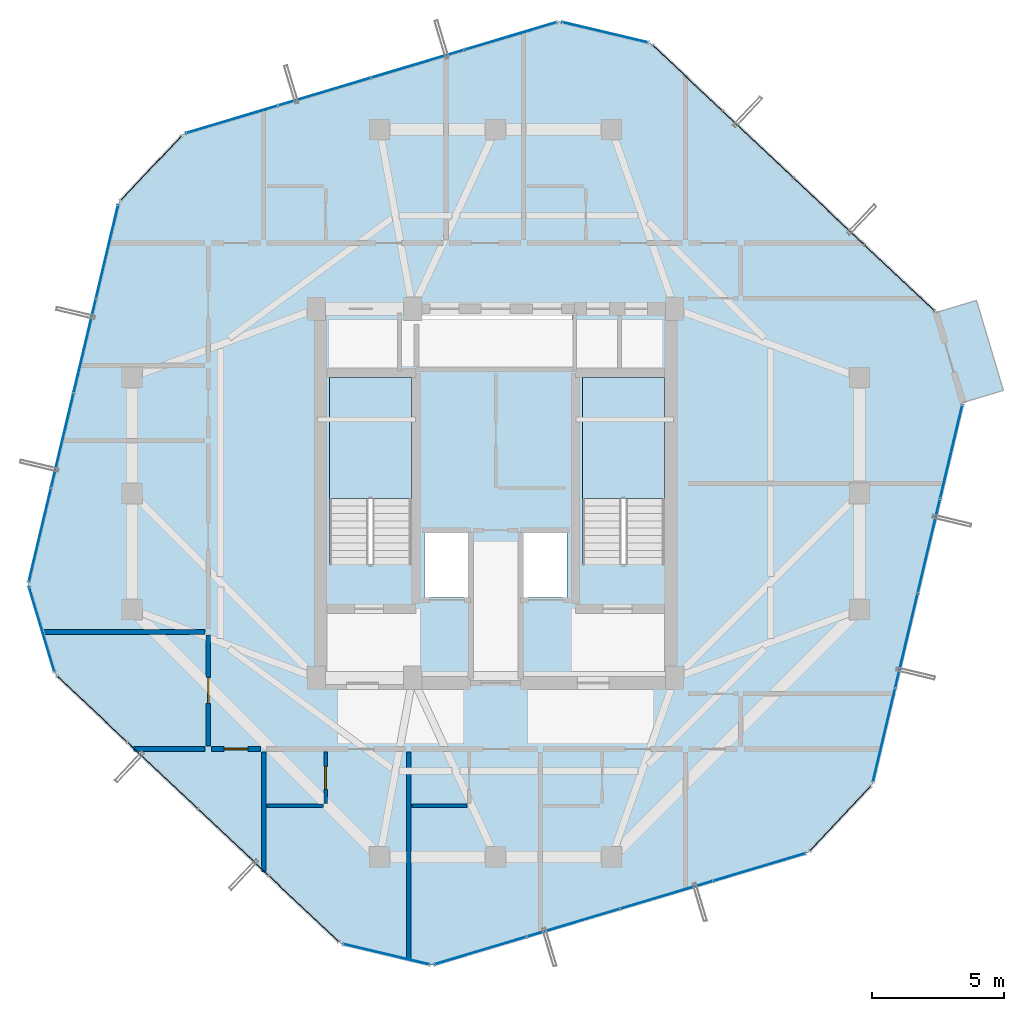
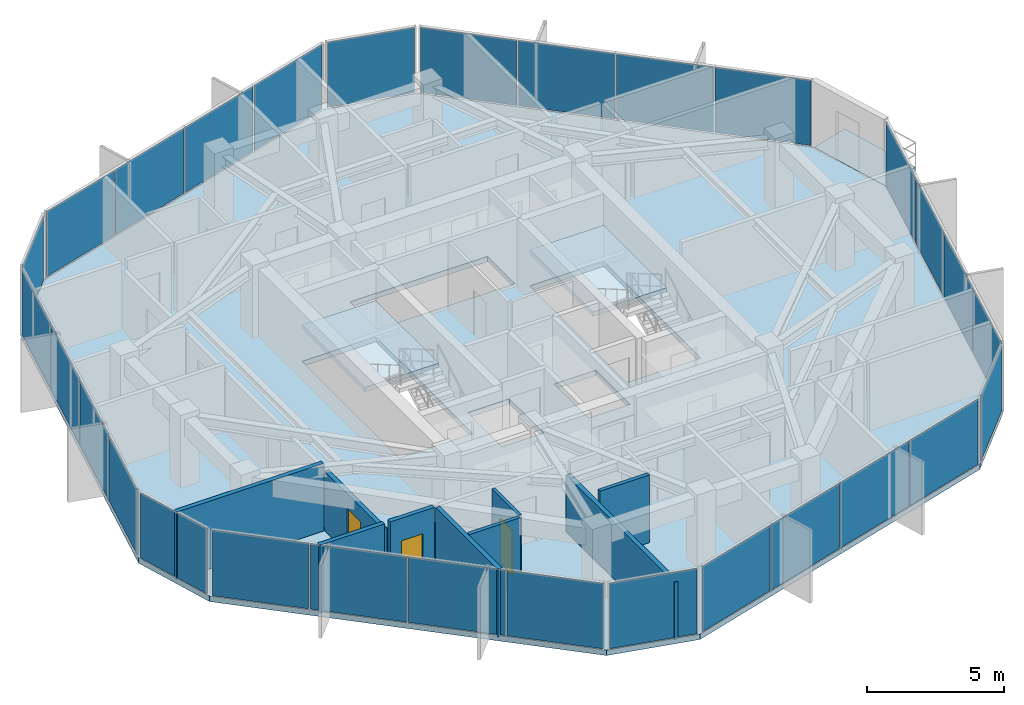
# One storey, part 23 of 28: 29 plates, 9 walls, 4 slabs, 3 doors, 3 openings, 13 elements without a shape of their own.
"""IFC4 building model written with IfcOpenShell, lengths in metres."""

from ifc_helpers import new_model, si_unit, direction, frame, frame_2d, origin, origin_2d, place, context, subcontext, project, spatial, polyline, rectangle, outline, extrude, source, transform, mapped, material, layer, layer_set, type_object, element, fill, aggregate, save


model = new_model("IFC4")

# Units and contexts
model_context = context("Model", 3, precision=1e-05, world=origin(), true_north=direction((0.0, 1.0)))
body_context = subcontext(model_context, "Body", "Model", "MODEL_VIEW")
ifc_project = project(units=[si_unit("LENGTHUNIT", "METRE"), si_unit("AREAUNIT", "SQUARE_METRE"), si_unit("VOLUMEUNIT", "CUBIC_METRE"), si_unit("PLANEANGLEUNIT", "RADIAN"), si_unit("MASSUNIT", "GRAM", prefix="KILO")], contexts=[model_context])

# Site, building, storey
site_placement = place(None, origin())
site = spatial("IfcSite", under=ifc_project, at=site_placement, CompositionType="ELEMENT")
building_placement = place(site_placement, origin())
building = spatial("IfcBuilding", under=site, at=building_placement, Name="Veraguas Prism Commons", CompositionType="ELEMENT")
storey_placement = place(building_placement, frame((0.0, 0.0, 254.5)))
storey = spatial("IfcBuildingStorey", under=building, at=storey_placement, Name="L72", CompositionType="ELEMENT", Elevation=254.5)

# Stair, slab
ifc_material_1 = material(Name="Precast concrete C45/55", Category="concrete")
stair_type = type_object("IfcStairType", Name="Dogleg Core Stair 1480W 20R 05", PredefinedType="HALF_TURN_STAIR", material=ifc_material_1)
stair_1_placement = place(storey_placement, origin())
stair_1 = element("IfcStair", 1, at=stair_1_placement, inside=storey, type_object=stair_type, Name="Protected Exit Stair ST-01 L72", PredefinedType="HALF_TURN_STAIR")
ifc_layer_1 = layer(ifc_material_1, 0.199951171875, Name="Precast Stair and Ramp Landing Slab 200", Category="concrete")
ifc_layer_set_1 = layer_set([ifc_layer_1], Name="Precast concrete C45/55")
slab_type_1 = type_object("IfcSlabType", Name="Precast Stair and Ramp Landing Slab 200", PredefinedType="LANDING", material=ifc_layer_set_1)
slab_1_placement = place(storey_placement, frame((0.0, 0.0, 1.425048828125)))
slab_1 = element("IfcSlab", 2, at=slab_1_placement, type_object=slab_type_1, Name="ST-05 Landing 1", PredefinedType="LANDING", context=body_context, shape_type="SweptSolid", body=[
    extrude(outline(polyline([(20.800048828125, 23.800048828125), (20.800048828125, 28.39990234375), (17.68994140625, 28.39990234375), (17.68994140625, 23.800048828125), (20.800048828125, 23.800048828125)])), origin(), (0.0, 0.0, 1.0), 0.199951171875),
])
aggregate(stair_1, [slab_1])

stair_2_placement = place(storey_placement, origin())
stair_2 = element("IfcStair", 3, at=stair_2_placement, inside=storey, type_object=stair_type, Name="Protected Exit Stair ST-02 L72", PredefinedType="HALF_TURN_STAIR")
slab_2_placement = place(storey_placement, frame((0.0, 0.0, 1.425048828125)))
slab_2 = element("IfcSlab", 4, at=slab_2_placement, type_object=slab_type_1, Name="ST-05 Landing 1", PredefinedType="LANDING", context=body_context, shape_type="SweptSolid", body=[
    extrude(outline(polyline([(30.39990234375, 23.800048828125), (30.39990234375, 28.39990234375), (27.2900390625, 28.39990234375), (27.2900390625, 23.800048828125), (30.39990234375, 23.800048828125)])), origin(), (0.0, 0.0, 1.0), 0.199951171875),
])
aggregate(stair_2, [slab_2])

# Slabs
ifc_material_2 = material(Name="Concrete C45/55", Category="concrete")
ifc_layer_2 = layer(ifc_material_2, 0.219970703125, Name="Recessed Loggia and Terrace Slab RC 220", Category="concrete")
ifc_layer_set_2 = layer_set([ifc_layer_2], Name="Concrete C45/55")
slab_type_2 = type_object("IfcSlabType", Name="Recessed Loggia and Terrace Slab RC 220", PredefinedType="FLOOR", material=ifc_layer_set_2)
slab_3_placement = place(storey_placement, frame((0.0, 0.0, -0.219970703125)))
element("IfcSlab", 5, at=slab_3_placement, inside=storey, type_object=slab_type_2, Name="Recessed Corner Loggia L72-C1", PredefinedType="FLOOR", context=body_context, shape_type="SweptSolid", body=[
    extrude(outline(polyline([(41.708740234375, 27.440185546875), (43.2607421875, 27.904541015625), (42.2392578125, 31.3173828125), (40.687255859375, 30.85302734375), (41.708740234375, 27.440185546875)])), origin(), (0.0, 0.0, 1.0), 0.219970703125),
])
ifc_layer_3 = layer(ifc_material_2, 0.235107421875, Name="Tower Upper Residential Floor Slab RC 235", Category="concrete")
ifc_layer_set_3 = layer_set([ifc_layer_3], Name="Concrete C45/55")
slab_type_3 = type_object("IfcSlabType", Name="Tower Upper Residential Floor Slab RC 235", PredefinedType="FLOOR", material=ifc_layer_set_3)
slab_4_placement = place(storey_placement, frame((0.0, 0.0, -0.235107421875)))
element("IfcSlab", 6, at=slab_4_placement, inside=storey, type_object=slab_type_3, Name="Tower Floor Slab L72", PredefinedType="FLOOR", context=body_context, shape_type="SweptSolid", body=[
    extrude(outline(polyline([(41.727783203125, 27.44580078125), (40.70654296875, 30.85888671875), (29.8798828125, 41.07568359375), (26.413330078125, 41.897705078125), (12.15185546875, 37.6298828125), (9.706787109375, 35.038818359375), (6.272216796875, 20.55419921875), (7.29345703125, 17.14111328125), (18.1201171875, 6.92431640625), (21.586669921875, 6.102294921875), (35.84814453125, 10.3701171875), (38.293212890625, 12.961181640625), (41.727783203125, 27.44580078125)]), holes=[polyline([(20.800048828125, 21.31005859375), (20.800048828125, 28.39990234375), (17.68994140625, 28.39990234375), (17.68994140625, 21.31005859375), (20.800048828125, 21.31005859375)]), polyline([(30.39990234375, 21.31005859375), (30.39990234375, 28.39990234375), (27.2900390625, 28.39990234375), (27.2900390625, 21.31005859375), (30.39990234375, 21.31005859375)]), polyline([(21.10009765625, 28.800048828125), (26.89990234375, 28.800048828125), (26.89990234375, 30.800048828125), (21.10009765625, 30.800048828125), (21.10009765625, 28.800048828125)]), polyline([(21.300048828125, 20.050048828125), (23.050048828125, 20.050048828125), (23.050048828125, 22.550048828125), (21.300048828125, 22.550048828125), (21.300048828125, 20.050048828125)]), polyline([(24.949951171875, 20.050048828125), (26.699951171875, 20.050048828125), (26.699951171875, 22.550048828125), (24.949951171875, 22.550048828125), (24.949951171875, 20.050048828125)])]), origin(), (0.0, 0.0, 1.0), 0.235107421875),
])

# Curtain wall, plates
ifc_material_3 = material(Name="Anodised aluminium EN AW-6063 T6", Category="aluminium")
ifc_layer_4 = layer(ifc_material_3, 0.14990234375, Name="Unitised Flush Curtain Wall Zone 4", Category="aluminium")
ifc_layer_set_4 = layer_set([ifc_layer_4], Name="Anodised aluminium EN AW-6063 T6")
curtain_wall_type = type_object("IfcCurtainWallType", Name="Unitised Flush Curtain Wall Zone 4", PredefinedType="NOTDEFINED", material=ifc_layer_set_4)
curtain_wall_1_placement = place(storey_placement, origin())
curtain_wall_1 = element("IfcCurtainWall", 7, at=curtain_wall_1_placement, inside=storey, type_object=curtain_wall_type, Name="Tower Facade Curtain Wall L72-F1", PredefinedType="NOTDEFINED")
ifc_material_4 = material(Name="Laminated low-e glass", Category="glass")
ifc_layer_5 = layer(ifc_material_4, 0.028076171875, Name="Unitised Double Low-E Glazed Panel 28", Category="glass")
ifc_layer_set_5 = layer_set([ifc_layer_5], Name="Laminated low-e glass")
plate_type = type_object("IfcPlateType", Name="Unitised Double Low-E Glazed Panel 28", PredefinedType="CURTAIN_PANEL", material=ifc_layer_set_5)
shared_shape_1 = source(origin(), body_context, "Body", "SweptSolid", [
    extrude(rectangle(XDim=3.6015625, YDim=0.028076171875, at=origin_2d()), origin(), (0.0, 0.0, 1.0), 2.905029296875),
])
plate_1_placement = place(storey_placement, frame((39.3095703125, 32.177001953125, 0.05517578125), z_axis=(0.0, 0.0, 1.0), x_axis=(-0.727296184535, 0.686323728251, 0.0)))
plate_1 = element("IfcPlate", 8, at=plate_1_placement, type_object=plate_type, Name="CW-Z4 Panel 1.1", PredefinedType="CURTAIN_PANEL", context=body_context, shape_type="MappedRepresentation", body=[
    mapped(shared_shape_1, transform((0.0, 0.0, 0.0), scale=1.0)),
])
plate_2_placement = place(storey_placement, frame((31.27685546875, 39.75732421875, 0.05517578125), z_axis=(0.0, 0.0, 1.0), x_axis=(-0.727296184535, 0.686323728251, 0.0)))
plate_2 = element("IfcPlate", 9, at=plate_2_placement, type_object=plate_type, Name="CW-Z4 Panel 4.1", PredefinedType="CURTAIN_PANEL", context=body_context, shape_type="MappedRepresentation", body=[
    mapped(shared_shape_1, transform((0.0, 0.0, 0.0), scale=1.0)),
])

curtain_wall_2_placement = place(storey_placement, origin())
curtain_wall_2 = element("IfcCurtainWall", 10, at=curtain_wall_2_placement, inside=storey, type_object=curtain_wall_type, Name="Tower Facade Curtain Wall L72-F2", PredefinedType="NOTDEFINED")
plate_3_placement = place(storey_placement, frame((24.5732421875, 41.346923828125, 0.05517578125), z_axis=(0.0, 0.0, 1.0), x_axis=(-0.958022876902, -0.286691763629, 0.0)))
plate_3 = element("IfcPlate", 11, at=plate_3_placement, type_object=plate_type, Name="CW-Z4 Panel 1.1", PredefinedType="CURTAIN_PANEL", context=body_context, shape_type="MappedRepresentation", body=[
    mapped(shared_shape_1, transform((0.0, 0.0, 0.0), scale=1.0)),
])
plate_4_placement = place(storey_placement, frame((13.9921875, 38.1806640625, 0.05517578125), z_axis=(0.0, 0.0, 1.0), x_axis=(-0.958022876902, -0.286691763629, 0.0)))
plate_4 = element("IfcPlate", 12, at=plate_4_placement, type_object=plate_type, Name="CW-Z4 Panel 4.1", PredefinedType="CURTAIN_PANEL", context=body_context, shape_type="MappedRepresentation", body=[
    mapped(shared_shape_1, transform((0.0, 0.0, 0.0), scale=1.0)),
])

curtain_wall_3_placement = place(storey_placement, origin())
curtain_wall_3 = element("IfcCurtainWall", 13, at=curtain_wall_3_placement, inside=storey, type_object=curtain_wall_type, Name="Tower Facade Curtain Wall L72-F3", PredefinedType="NOTDEFINED")
plate_5_placement = place(storey_placement, frame((9.263671875, 33.169921875, 0.05517578125), z_axis=(0.0, 0.0, 1.0), x_axis=(-0.230740975733, -0.973015211658, 0.0)))
plate_5 = element("IfcPlate", 14, at=plate_5_placement, type_object=plate_type, Name="CW-Z4 Panel 1.1", PredefinedType="CURTAIN_PANEL", context=body_context, shape_type="MappedRepresentation", body=[
    mapped(shared_shape_1, transform((0.0, 0.0, 0.0), scale=1.0)),
])
plate_6_placement = place(storey_placement, frame((6.71533203125, 22.423095703125, 0.05517578125), z_axis=(0.0, 0.0, 1.0), x_axis=(-0.230740975733, -0.973015211658, 0.0)))
plate_6 = element("IfcPlate", 15, at=plate_6_placement, type_object=plate_type, Name="CW-Z4 Panel 4.1", PredefinedType="CURTAIN_PANEL", context=body_context, shape_type="MappedRepresentation", body=[
    mapped(shared_shape_1, transform((0.0, 0.0, 0.0), scale=1.0)),
])

curtain_wall_4_placement = place(storey_placement, origin())
curtain_wall_4 = element("IfcCurtainWall", 16, at=curtain_wall_4_placement, inside=storey, type_object=curtain_wall_type, Name="Tower Facade Curtain Wall L72-F4", PredefinedType="NOTDEFINED")
plate_7_placement = place(storey_placement, frame((8.6904296875, 15.822998046875, 0.05517578125), z_axis=(0.0, 0.0, 1.0), x_axis=(0.727296184535, -0.686323728251, 0.0)))
plate_7 = element("IfcPlate", 17, at=plate_7_placement, type_object=plate_type, Name="CW-Z4 Panel 1.1", PredefinedType="CURTAIN_PANEL", context=body_context, shape_type="MappedRepresentation", body=[
    mapped(shared_shape_1, transform((0.0, 0.0, 0.0), scale=1.0)),
])
plate_8_placement = place(storey_placement, frame((16.72314453125, 8.24267578125, 0.05517578125), z_axis=(0.0, 0.0, 1.0), x_axis=(0.727296184535, -0.686323728251, 0.0)))
plate_8 = element("IfcPlate", 18, at=plate_8_placement, type_object=plate_type, Name="CW-Z4 Panel 4.1", PredefinedType="CURTAIN_PANEL", context=body_context, shape_type="MappedRepresentation", body=[
    mapped(shared_shape_1, transform((0.0, 0.0, 0.0), scale=1.0)),
])

curtain_wall_5_placement = place(storey_placement, origin())
curtain_wall_5 = element("IfcCurtainWall", 19, at=curtain_wall_5_placement, inside=storey, type_object=curtain_wall_type, Name="Tower Facade Curtain Wall L72-F5", PredefinedType="NOTDEFINED")
plate_9_placement = place(storey_placement, frame((23.4267578125, 6.653076171875, 0.05517578125), z_axis=(0.0, 0.0, 1.0), x_axis=(0.958022876902, 0.286691763629, 0.0)))
plate_9 = element("IfcPlate", 20, at=plate_9_placement, type_object=plate_type, Name="CW-Z4 Panel 1.1", PredefinedType="CURTAIN_PANEL", context=body_context, shape_type="MappedRepresentation", body=[
    mapped(shared_shape_1, transform((0.0, 0.0, 0.0), scale=1.0)),
])
plate_10_placement = place(storey_placement, frame((34.0078125, 9.8193359375, 0.05517578125), z_axis=(0.0, 0.0, 1.0), x_axis=(0.958022876902, 0.286691763629, 0.0)))
plate_10 = element("IfcPlate", 21, at=plate_10_placement, type_object=plate_type, Name="CW-Z4 Panel 4.1", PredefinedType="CURTAIN_PANEL", context=body_context, shape_type="MappedRepresentation", body=[
    mapped(shared_shape_1, transform((0.0, 0.0, 0.0), scale=1.0)),
])

curtain_wall_6_placement = place(storey_placement, origin())
curtain_wall_6 = element("IfcCurtainWall", 22, at=curtain_wall_6_placement, inside=storey, type_object=curtain_wall_type, Name="Tower Facade Curtain Wall L72-F6", PredefinedType="NOTDEFINED")
plate_11_placement = place(storey_placement, frame((38.736328125, 14.830078125, 0.05517578125), z_axis=(0.0, 0.0, 1.0), x_axis=(0.230740975733, 0.973015211658, 0.0)))
plate_11 = element("IfcPlate", 23, at=plate_11_placement, type_object=plate_type, Name="CW-Z4 Panel 1.1", PredefinedType="CURTAIN_PANEL", context=body_context, shape_type="MappedRepresentation", body=[
    mapped(shared_shape_1, transform((0.0, 0.0, 0.0), scale=1.0)),
])
plate_12_placement = place(storey_placement, frame((41.28466796875, 25.576904296875, 0.05517578125), z_axis=(0.0, 0.0, 1.0), x_axis=(0.230740975733, 0.973015211658, 0.0)))
plate_12 = element("IfcPlate", 24, at=plate_12_placement, type_object=plate_type, Name="CW-Z4 Panel 4.1", PredefinedType="CURTAIN_PANEL", context=body_context, shape_type="MappedRepresentation", body=[
    mapped(shared_shape_1, transform((0.0, 0.0, 0.0), scale=1.0)),
])

# Plate
shared_shape_2 = source(origin(), body_context, "Body", "SweptSolid", [
    extrude(rectangle(XDim=3.631591796875, YDim=0.028076171875, at=origin_2d()), origin(), (0.0, 0.0, 1.0), 2.905029296875),
])
plate_13_placement = place(storey_placement, frame((36.635498046875, 34.700439453125, 0.05517578125), z_axis=(0.0, 0.0, 1.0), x_axis=(-0.727296184535, 0.686323728251, 0.0)))
plate_13 = element("IfcPlate", 25, at=plate_13_placement, type_object=plate_type, Name="CW-Z4 Panel 2.1", PredefinedType="CURTAIN_PANEL", context=body_context, shape_type="MappedRepresentation", body=[
    mapped(shared_shape_2, transform((0.0, 0.0, 0.0), scale=1.0)),
])

plate_14_placement = place(storey_placement, frame((33.95068359375, 37.234130859375, 0.05517578125), z_axis=(0.0, 0.0, 1.0), x_axis=(-0.727296184535, 0.686323728251, 0.0)))
plate_14 = element("IfcPlate", 26, at=plate_14_placement, type_object=plate_type, Name="CW-Z4 Panel 3.1", PredefinedType="CURTAIN_PANEL", context=body_context, shape_type="MappedRepresentation", body=[
    mapped(shared_shape_2, transform((0.0, 0.0, 0.0), scale=1.0)),
])

aggregate(curtain_wall_1, [plate_1, plate_13, plate_14, plate_2])

plate_15_placement = place(storey_placement, frame((21.051025390625, 40.29296875, 0.05517578125), z_axis=(0.0, 0.0, 1.0), x_axis=(-0.958022876902, -0.286691763629, 0.0)))
plate_15 = element("IfcPlate", 27, at=plate_15_placement, type_object=plate_type, Name="CW-Z4 Panel 2.1", PredefinedType="CURTAIN_PANEL", context=body_context, shape_type="MappedRepresentation", body=[
    mapped(shared_shape_2, transform((0.0, 0.0, 0.0), scale=1.0)),
])

plate_16_placement = place(storey_placement, frame((17.514404296875, 39.234619140625, 0.05517578125), z_axis=(0.0, 0.0, 1.0), x_axis=(-0.958022876902, -0.286691763629, 0.0)))
plate_16 = element("IfcPlate", 28, at=plate_16_placement, type_object=plate_type, Name="CW-Z4 Panel 3.1", PredefinedType="CURTAIN_PANEL", context=body_context, shape_type="MappedRepresentation", body=[
    mapped(shared_shape_2, transform((0.0, 0.0, 0.0), scale=1.0)),
])

aggregate(curtain_wall_2, [plate_3, plate_15, plate_16, plate_4])

plate_17_placement = place(storey_placement, frame((8.415283203125, 29.592529296875, 0.05517578125), z_axis=(0.0, 0.0, 1.0), x_axis=(-0.230740975733, -0.973015211658, 0.0)))
plate_17 = element("IfcPlate", 29, at=plate_17_placement, type_object=plate_type, Name="CW-Z4 Panel 2.1", PredefinedType="CURTAIN_PANEL", context=body_context, shape_type="MappedRepresentation", body=[
    mapped(shared_shape_2, transform((0.0, 0.0, 0.0), scale=1.0)),
])

plate_18_placement = place(storey_placement, frame((7.563720703125, 26.00048828125, 0.05517578125), z_axis=(0.0, 0.0, 1.0), x_axis=(-0.230740975733, -0.973015211658, 0.0)))
plate_18 = element("IfcPlate", 30, at=plate_18_placement, type_object=plate_type, Name="CW-Z4 Panel 3.1", PredefinedType="CURTAIN_PANEL", context=body_context, shape_type="MappedRepresentation", body=[
    mapped(shared_shape_2, transform((0.0, 0.0, 0.0), scale=1.0)),
])

aggregate(curtain_wall_3, [plate_5, plate_17, plate_18, plate_6])

plate_19_placement = place(storey_placement, frame((11.364501953125, 13.299560546875, 0.05517578125), z_axis=(0.0, 0.0, 1.0), x_axis=(0.727296184535, -0.686323728251, 0.0)))
plate_19 = element("IfcPlate", 31, at=plate_19_placement, type_object=plate_type, Name="CW-Z4 Panel 2.1", PredefinedType="CURTAIN_PANEL", context=body_context, shape_type="MappedRepresentation", body=[
    mapped(shared_shape_2, transform((0.0, 0.0, 0.0), scale=1.0)),
])

plate_20_placement = place(storey_placement, frame((14.04931640625, 10.765869140625, 0.05517578125), z_axis=(0.0, 0.0, 1.0), x_axis=(0.727296184535, -0.686323728251, 0.0)))
plate_20 = element("IfcPlate", 32, at=plate_20_placement, type_object=plate_type, Name="CW-Z4 Panel 3.1", PredefinedType="CURTAIN_PANEL", context=body_context, shape_type="MappedRepresentation", body=[
    mapped(shared_shape_2, transform((0.0, 0.0, 0.0), scale=1.0)),
])

aggregate(curtain_wall_4, [plate_7, plate_19, plate_20, plate_8])

plate_21_placement = place(storey_placement, frame((26.948974609375, 7.70703125, 0.05517578125), z_axis=(0.0, 0.0, 1.0), x_axis=(0.958022876902, 0.286691763629, 0.0)))
plate_21 = element("IfcPlate", 33, at=plate_21_placement, type_object=plate_type, Name="CW-Z4 Panel 2.1", PredefinedType="CURTAIN_PANEL", context=body_context, shape_type="MappedRepresentation", body=[
    mapped(shared_shape_2, transform((0.0, 0.0, 0.0), scale=1.0)),
])

plate_22_placement = place(storey_placement, frame((30.485595703125, 8.765380859375, 0.05517578125), z_axis=(0.0, 0.0, 1.0), x_axis=(0.958022876902, 0.286691763629, 0.0)))
plate_22 = element("IfcPlate", 34, at=plate_22_placement, type_object=plate_type, Name="CW-Z4 Panel 3.1", PredefinedType="CURTAIN_PANEL", context=body_context, shape_type="MappedRepresentation", body=[
    mapped(shared_shape_2, transform((0.0, 0.0, 0.0), scale=1.0)),
])

aggregate(curtain_wall_5, [plate_9, plate_21, plate_22, plate_10])

plate_23_placement = place(storey_placement, frame((39.584716796875, 18.407470703125, 0.05517578125), z_axis=(0.0, 0.0, 1.0), x_axis=(0.230740975733, 0.973015211658, 0.0)))
plate_23 = element("IfcPlate", 35, at=plate_23_placement, type_object=plate_type, Name="CW-Z4 Panel 2.1", PredefinedType="CURTAIN_PANEL", context=body_context, shape_type="MappedRepresentation", body=[
    mapped(shared_shape_2, transform((0.0, 0.0, 0.0), scale=1.0)),
])

plate_24_placement = place(storey_placement, frame((40.436279296875, 21.99951171875, 0.05517578125), z_axis=(0.0, 0.0, 1.0), x_axis=(0.230740975733, 0.973015211658, 0.0)))
plate_24 = element("IfcPlate", 36, at=plate_24_placement, type_object=plate_type, Name="CW-Z4 Panel 3.1", PredefinedType="CURTAIN_PANEL", context=body_context, shape_type="MappedRepresentation", body=[
    mapped(shared_shape_2, transform((0.0, 0.0, 0.0), scale=1.0)),
])

aggregate(curtain_wall_6, [plate_11, plate_23, plate_24, plate_12])

# Curtain wall, plate
curtain_wall_7_placement = place(storey_placement, origin())
curtain_wall_7 = element("IfcCurtainWall", 37, at=curtain_wall_7_placement, inside=storey, type_object=curtain_wall_type, Name="Chamfer Curtain Wall L72-C2", PredefinedType="NOTDEFINED")
shared_shape_3 = source(origin(), body_context, "Body", "SweptSolid", [
    extrude(rectangle(XDim=3.322509765625, YDim=0.028076171875, at=origin_2d()), origin(), (0.0, 0.0, 1.0), 2.905029296875),
])
plate_25_placement = place(storey_placement, frame((28.146484375, 41.48681640625, 0.05517578125), z_axis=(0.0, 0.0, 1.0), x_axis=(-0.973010378817, 0.230761354466, 0.0)))
plate_25 = element("IfcPlate", 38, at=plate_25_placement, type_object=plate_type, Name="CW-Z4 Panel 1.1", PredefinedType="CURTAIN_PANEL", context=body_context, shape_type="MappedRepresentation", body=[
    mapped(shared_shape_3, transform((0.0, 0.0, 0.0), scale=1.0)),
])
aggregate(curtain_wall_7, [plate_25])

curtain_wall_8_placement = place(storey_placement, origin())
curtain_wall_8 = element("IfcCurtainWall", 39, at=curtain_wall_8_placement, inside=storey, type_object=curtain_wall_type, Name="Chamfer Curtain Wall L72-C3", PredefinedType="NOTDEFINED")
plate_26_placement = place(storey_placement, frame((10.929443359375, 36.33447265625, 0.05517578125), z_axis=(0.0, 0.0, 1.0), x_axis=(-0.686300879229, -0.727317745672, 0.0)))
plate_26 = element("IfcPlate", 40, at=plate_26_placement, type_object=plate_type, Name="CW-Z4 Panel 1.1", PredefinedType="CURTAIN_PANEL", context=body_context, shape_type="MappedRepresentation", body=[
    mapped(shared_shape_3, transform((0.0, 0.0, 0.0), scale=1.0)),
])
aggregate(curtain_wall_8, [plate_26])

curtain_wall_9_placement = place(storey_placement, origin())
curtain_wall_9 = element("IfcCurtainWall", 41, at=curtain_wall_9_placement, inside=storey, type_object=curtain_wall_type, Name="Chamfer Curtain Wall L72-C4", PredefinedType="NOTDEFINED")
plate_27_placement = place(storey_placement, frame((6.78271484375, 18.84765625, 0.05517578125), z_axis=(0.0, 0.0, 1.0), x_axis=(0.286708484238, -0.958017873041, 0.0)))
plate_27 = element("IfcPlate", 42, at=plate_27_placement, type_object=plate_type, Name="CW-Z4 Panel 1.1", PredefinedType="CURTAIN_PANEL", context=body_context, shape_type="MappedRepresentation", body=[
    mapped(shared_shape_3, transform((0.0, 0.0, 0.0), scale=1.0)),
])
aggregate(curtain_wall_9, [plate_27])

curtain_wall_10_placement = place(storey_placement, origin())
curtain_wall_10 = element("IfcCurtainWall", 43, at=curtain_wall_10_placement, inside=storey, type_object=curtain_wall_type, Name="Chamfer Curtain Wall L72-C5", PredefinedType="NOTDEFINED")
plate_28_placement = place(storey_placement, frame((19.853515625, 6.51318359375, 0.05517578125), z_axis=(0.0, 0.0, 1.0), x_axis=(0.973010378817, -0.230761354466, 0.0)))
plate_28 = element("IfcPlate", 44, at=plate_28_placement, type_object=plate_type, Name="CW-Z4 Panel 1.1", PredefinedType="CURTAIN_PANEL", context=body_context, shape_type="MappedRepresentation", body=[
    mapped(shared_shape_3, transform((0.0, 0.0, 0.0), scale=1.0)),
])
aggregate(curtain_wall_10, [plate_28])

curtain_wall_11_placement = place(storey_placement, origin())
curtain_wall_11 = element("IfcCurtainWall", 45, at=curtain_wall_11_placement, inside=storey, type_object=curtain_wall_type, Name="Chamfer Curtain Wall L72-C6", PredefinedType="NOTDEFINED")
plate_29_placement = place(storey_placement, frame((37.070556640625, 11.66552734375, 0.05517578125), z_axis=(0.0, 0.0, 1.0), x_axis=(0.686300879229, 0.727317745672, 0.0)))
plate_29 = element("IfcPlate", 46, at=plate_29_placement, type_object=plate_type, Name="CW-Z4 Panel 1.1", PredefinedType="CURTAIN_PANEL", context=body_context, shape_type="MappedRepresentation", body=[
    mapped(shared_shape_3, transform((0.0, 0.0, 0.0), scale=1.0)),
])
aggregate(curtain_wall_11, [plate_29])

# Walls
ifc_material_5 = material(Name="Autoclaved aerated masonry block 10 MPa", Category="masonry")
ifc_layer_6 = layer(ifc_material_5, 0.179931640625, Name="Corridor and Inter-Tenancy Partition 180", Category="masonry")
ifc_layer_set_6 = layer_set([ifc_layer_6], Name="Autoclaved aerated masonry block 10 MPa")
wall_type_1 = type_object("IfcWallType", Name="Corridor and Inter-Tenancy Partition 180", PredefinedType="PARTITIONING", material=ifc_layer_set_6)
wall_1_placement = place(storey_placement, frame((15.199951171875, 14.179931640625, 0.0), z_axis=(0.0, 0.0, 1.0), x_axis=(0.0, -1.0, 0.0)))
element("IfcWall", 47, at=wall_1_placement, inside=storey, type_object=wall_type_1, Name="WL-L72-PT001", PredefinedType="PARTITIONING", context=body_context, shape_type="SweptSolid", body=[
    extrude(rectangle(XDim=4.541015625, YDim=0.179931640625, at=frame_2d((2.2705078125, 0.0))), origin(), (0.0, 0.0, 1.0), 3.014892578125),
])
wall_2_placement = place(storey_placement, frame((20.705078125, 14.179931640625, 0.0), z_axis=(0.0, 0.0, 1.0), x_axis=(0.0, -1.0, 0.0)))
element("IfcWall", 48, at=wall_2_placement, inside=storey, type_object=wall_type_1, Name="WL-L72-PT006", PredefinedType="PARTITIONING", context=body_context, shape_type="SweptSolid", body=[
    extrude(rectangle(XDim=7.8994140625, YDim=0.179931640625, at=frame_2d((3.94970703125, 0.0))), origin(), (0.0, 0.0, 1.0), 2.54296875),
])
wall_3_placement = place(storey_placement, frame((12.97998046875, 14.300048828125, 0.0), z_axis=(0.0, 0.0, 1.0), x_axis=(-1.0, 0.0, 0.0)))
element("IfcWall", 49, at=wall_3_placement, inside=storey, type_object=wall_type_1, Name="WL-L72-PT025", PredefinedType="PARTITIONING", context=body_context, shape_type="SweptSolid", body=[
    extrude(rectangle(XDim=2.719482421875, YDim=0.179931640625, at=frame_2d((1.35986328125, 0.0))), origin(), (0.0, 0.0, 1.0), 3.014892578125),
])

# Wall, opening, door
wall_4_placement = place(storey_placement, frame((13.10009765625, 14.409912109375, 0.0), z_axis=(0.0, 0.0, 1.0), x_axis=(0.0, 1.0, 0.0)))
wall_4 = element("IfcWall", 50, at=wall_4_placement, inside=storey, type_object=wall_type_1, Name="WL-L72-PT027", PredefinedType="PARTITIONING", context=body_context, shape_type="SweptSolid", body=[
    extrude(rectangle(XDim=4.22412109375, YDim=0.179931640625, at=frame_2d((2.112060546875, 0.0))), origin(), (0.0, 0.0, 1.0), 2.662109375),
])
opening_1_placement = place(wall_4_placement, frame((1.612060546875, 0.0, 0.0)))
opening_1 = element("IfcOpeningElement", 51, at=opening_1_placement, cuts=wall_4, Name="Opening DR-13", PredefinedType="OPENING", context=body_context, shape_type="SweptSolid", body=[
    extrude(rectangle(XDim=1.0, YDim=2.010009765625, at=frame_2d((0.5, 1.0048828125))), frame((0.0, 0.099853515625, 0.0), z_axis=(0.0, -1.0, 0.0), x_axis=(1.0, 0.0, 0.0)), (0.0, 0.0, 1.0), 0.199951171875),
])
ifc_material_6 = material(Name="Steel fire-rated door assembly", Category="steel")
door_type_1 = type_object("IfcDoorType", Name="Core Accessible WC and Clinic Fire Door 1000x2010", OperationType="NOTDEFINED", PredefinedType="DOOR", material=ifc_material_6)
shared_shape_4 = source(origin(), body_context, "Body", "SweptSolid", [
    extrude(rectangle(XDim=1.0, YDim=2.010009765625, at=frame_2d((0.5, 1.0048828125))), frame((0.0, 0.02490234375, 0.0), z_axis=(0.0, -1.0, 0.0), x_axis=(1.0, 0.0, 0.0)), (0.0, 0.0, 1.0), 0.050048828125),
])
door_1_placement = place(opening_1_placement, origin())
door_1 = element("IfcDoor", 52, at=door_1_placement, inside=storey, type_object=door_type_1, Name="Community Co-op Kitchen Door", OperationType="SINGLE_SWING_RIGHT", OverallHeight=2.010009765625, OverallWidth=1.0, PredefinedType="DOOR", context=body_context, shape_type="MappedRepresentation", body=[
    mapped(shared_shape_4, transform((0.0, 0.0, 0.0), scale=1.0)),
])
fill(opening_1, door_1)

# Wall
wall_5_placement = place(storey_placement, frame((12.97998046875, 18.743896484375, 0.0), z_axis=(0.0, 0.0, 1.0), x_axis=(-1.0, 0.0, 0.0)))
element("IfcWall", 53, at=wall_5_placement, inside=storey, type_object=wall_type_1, Name="WL-L72-PT029", PredefinedType="PARTITIONING", context=body_context, shape_type="SweptSolid", body=[
    extrude(rectangle(XDim=6.197509765625, YDim=0.179931640625, at=frame_2d((3.0986328125, 0.0))), origin(), (0.0, 0.0, 1.0), 3.014892578125),
])

# Wall, opening, door
wall_6_placement = place(storey_placement, frame((13.219970703125, 14.300048828125, 0.0), z_axis=(0.0, 0.0, 1.0), x_axis=(1.0, 0.0, 0.0)))
wall_6 = element("IfcWall", 54, at=wall_6_placement, inside=storey, type_object=wall_type_1, Name="WL-L72-PT041", PredefinedType="PARTITIONING", context=body_context, shape_type="SweptSolid", body=[
    extrude(rectangle(XDim=1.860107421875, YDim=0.179931640625, at=frame_2d((0.93017578125, 0.0))), origin(), (0.0, 0.0, 1.0), 3.014892578125),
])
opening_2_placement = place(wall_6_placement, frame((0.47998046875, 0.0, 0.0)))
opening_2 = element("IfcOpeningElement", 55, at=opening_2_placement, cuts=wall_6, Name="Opening DR-14", PredefinedType="OPENING", context=body_context, shape_type="SweptSolid", body=[
    extrude(rectangle(XDim=0.89990234375, YDim=2.010009765625, at=frame_2d((0.449951171875, 1.0048828125))), frame((0.0, 0.099853515625, 0.0), z_axis=(0.0, -1.0, 0.0), x_axis=(1.0, 0.0, 0.0)), (0.0, 0.0, 1.0), 0.199951171875),
])
door_type_2 = type_object("IfcDoorType", Name="Core Service Room Fire Door 900x2010", OperationType="NOTDEFINED", PredefinedType="DOOR", material=ifc_material_6)
shared_shape_5 = source(origin(), body_context, "Body", "SweptSolid", [
    extrude(rectangle(XDim=0.89990234375, YDim=2.010009765625, at=frame_2d((0.449951171875, 1.0048828125))), frame((0.0, 0.02490234375, 0.0), z_axis=(0.0, -1.0, 0.0), x_axis=(1.0, 0.0, 0.0)), (0.0, 0.0, 1.0), 0.050048828125),
])
door_2_placement = place(opening_2_placement, origin())
door_2 = element("IfcDoor", 56, at=door_2_placement, inside=storey, type_object=door_type_2, Name="Residents Study Room SW Door", OperationType="SINGLE_SWING_RIGHT", OverallHeight=2.010009765625, OverallWidth=0.89990234375, PredefinedType="DOOR", context=body_context, shape_type="MappedRepresentation", body=[
    mapped(shared_shape_5, transform((0.0, 0.0, 0.0), scale=1.0)),
])
fill(opening_2, door_2)

ifc_material_7 = material(Name="Lightweight acoustic gypsum board")
ifc_layer_7 = layer(ifc_material_7, 0.125, Name="Internal Apartment Room Partition 125")
ifc_layer_set_7 = layer_set([ifc_layer_7], Name="Lightweight acoustic gypsum board")
wall_type_2 = type_object("IfcWallType", Name="Internal Apartment Room Partition 125", PredefinedType="PARTITIONING", material=ifc_layer_set_7)
wall_7_placement = place(storey_placement, frame((17.550048828125, 14.179931640625, 0.0), z_axis=(0.0, 0.0, 1.0), x_axis=(0.0, -1.0, 0.0)))
wall_7 = element("IfcWall", 57, at=wall_7_placement, inside=storey, type_object=wall_type_2, Name="WL-L72-PT004", PredefinedType="PARTITIONING", context=body_context, shape_type="SweptSolid", body=[
    extrude(rectangle(XDim=1.949951171875, YDim=0.125, at=frame_2d((0.97509765625, 0.0))), origin(), (0.0, 0.0, 1.0), 3.014892578125),
])
opening_3_placement = place(wall_7_placement, frame((0.544921875, 0.0, 0.0)))
opening_3 = element("IfcOpeningElement", 58, at=opening_3_placement, cuts=wall_7, Name="Opening DR-03", PredefinedType="OPENING", context=body_context, shape_type="SweptSolid", body=[
    extrude(rectangle(XDim=0.860107421875, YDim=2.010009765625, at=frame_2d((0.43017578125, 1.0048828125))), frame((0.0, 0.072509765625, 0.0), z_axis=(0.0, -1.0, 0.0), x_axis=(1.0, 0.0, 0.0)), (0.0, 0.0, 1.0), 0.14501953125),
])
ifc_material_8 = material(Name="Timber moisture-resistant leaf", Category="wood")
door_type_3 = type_object("IfcDoorType", Name="Internal Bathroom Door 860x2010", OperationType="NOTDEFINED", PredefinedType="DOOR", material=ifc_material_8)
shared_shape_6 = source(origin(), body_context, "Body", "SweptSolid", [
    extrude(rectangle(XDim=0.860107421875, YDim=2.010009765625, at=frame_2d((0.43017578125, 1.0048828125))), frame((0.0, 0.02490234375, 0.0), z_axis=(0.0, -1.0, 0.0), x_axis=(1.0, 0.0, 0.0)), (0.0, 0.0, 1.0), 0.050048828125),
])
door_3_placement = place(opening_3_placement, origin())
door_3 = element("IfcDoor", 59, at=door_3_placement, inside=storey, type_object=door_type_3, Name="Studio 72A Bathroom Door", OperationType="SINGLE_SWING_RIGHT", OverallHeight=2.010009765625, OverallWidth=0.860107421875, PredefinedType="DOOR", context=body_context, shape_type="MappedRepresentation", body=[
    mapped(shared_shape_6, transform((0.0, 0.0, 0.0), scale=1.0)),
])
fill(opening_3, door_3)

# Walls
ifc_layer_8 = layer(ifc_material_7, 0.14990234375, Name="Wet Room and Clinic Acoustic Partition 150")
ifc_layer_set_8 = layer_set([ifc_layer_8], Name="Lightweight acoustic gypsum board")
wall_type_3 = type_object("IfcWallType", Name="Wet Room and Clinic Acoustic Partition 150", PredefinedType="PARTITIONING", material=ifc_layer_set_8)
wall_8_placement = place(storey_placement, frame((15.320068359375, 12.14990234375, 0.0), z_axis=(0.0, 0.0, 1.0), x_axis=(1.0, 0.0, 0.0)))
element("IfcWall", 60, at=wall_8_placement, inside=storey, type_object=wall_type_3, Name="WL-L72-PT005", PredefinedType="PARTITIONING", context=body_context, shape_type="SweptSolid", body=[
    extrude(rectangle(XDim=2.14990234375, YDim=0.14990234375, at=frame_2d((1.074951171875, 0.0))), origin(), (0.0, 0.0, 1.0), 3.014892578125),
])
wall_9_placement = place(storey_placement, frame((20.824951171875, 12.14990234375, 0.0), z_axis=(0.0, 0.0, 1.0), x_axis=(1.0, 0.0, 0.0)))
element("IfcWall", 61, at=wall_9_placement, inside=storey, type_object=wall_type_3, Name="WL-L72-PT009", PredefinedType="PARTITIONING", context=body_context, shape_type="SweptSolid", body=[
    extrude(rectangle(XDim=2.094970703125, YDim=0.14990234375, at=frame_2d((1.04736328125, 0.0))), origin(), (0.0, 0.0, 1.0), 3.014892578125),
])

save(model, "model.ifc")
